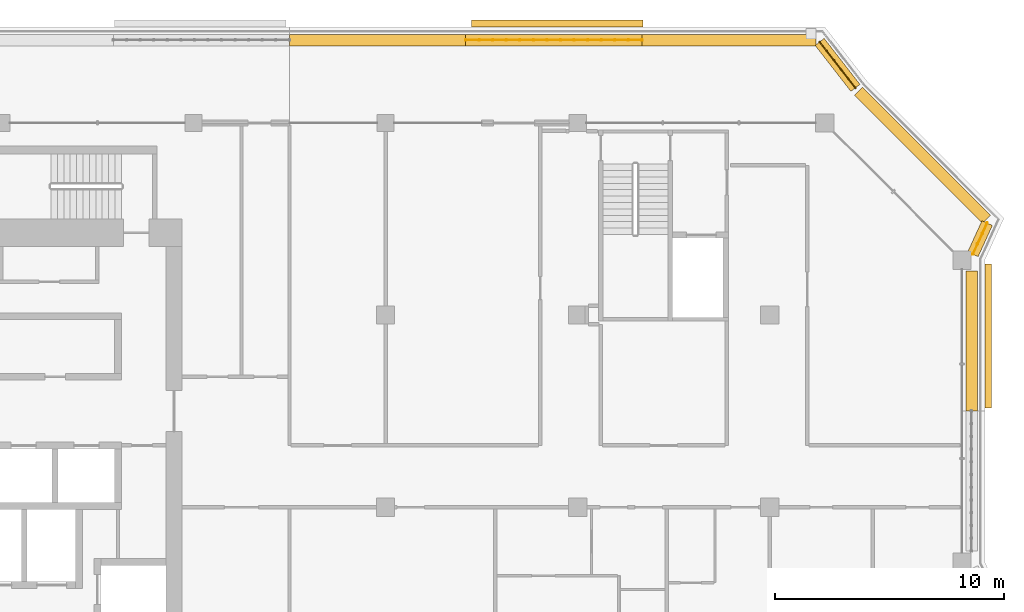
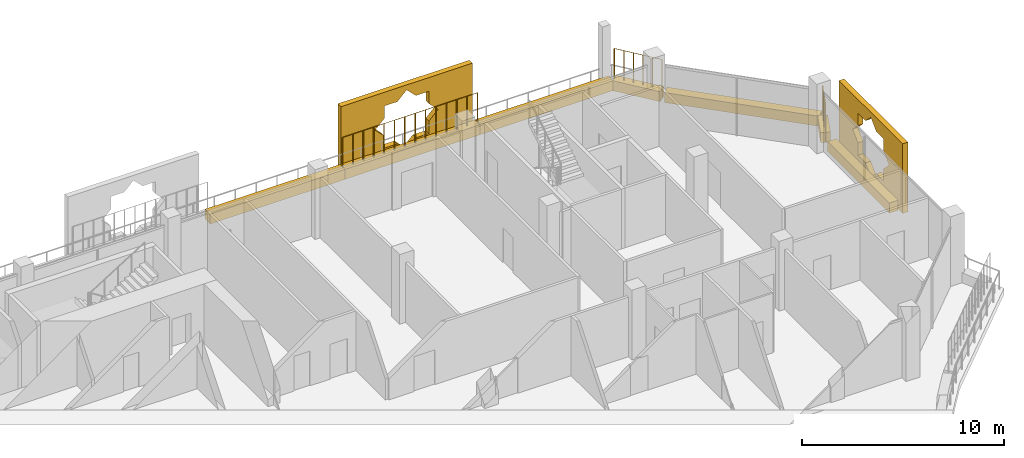
# One storey, part 22 of 22: 9 coverings, 3 railings.
"""IFC4 building model written with IfcOpenShell, lengths in metres."""

from ifc_helpers import new_model, si_unit, direction, frame, origin, origin_2d, place, context, subcontext, project, spatial, polyline, rectangle, circle, outline, extrude, material, material_profile, profile_set, type_object, element, save


model = new_model("IFC4")

# Units and contexts
model_context = context("Model", 3, precision=1e-05, world=origin(), true_north=direction((0.0, 1.0)))
body_context = subcontext(model_context, "Body", "Model", "MODEL_VIEW")
ifc_project = project(units=[si_unit("LENGTHUNIT", "METRE"), si_unit("AREAUNIT", "SQUARE_METRE"), si_unit("VOLUMEUNIT", "CUBIC_METRE"), si_unit("PLANEANGLEUNIT", "RADIAN"), si_unit("MASSUNIT", "GRAM", prefix="KILO")], contexts=[model_context])

# Site, building, storey
site_placement = place(None, origin())
site = spatial("IfcSite", under=ifc_project, at=site_placement, CompositionType="ELEMENT")
building_placement = place(site_placement, origin())
building = spatial("IfcBuilding", under=site, at=building_placement, Name="Kawkab Arch Medical Tower", CompositionType="ELEMENT")
storey_placement = place(building_placement, frame((0.0, 0.0, 294.39990234375)))
storey = spatial("IfcBuildingStorey", under=building, at=storey_placement, Name="L68", CompositionType="ELEMENT", Elevation=294.39990234375)

# Coverings
ifc_material_1 = material(Name="Bronze anodised aluminium mashrabiya panel, eight-point star pattern", Category="aluminium")
ifc_material_profile_1 = material_profile(ifc_material_1, outline(polyline([(-3.14990234375, -2.10009765625), (3.14990234375, -2.10009765625), (3.14990234375, 2.10009765625), (-3.14990234375, 2.10009765625), (-3.14990234375, -2.10009765625)]), holes=[polyline([(1.800048828125, 0.0), (1.272705078125, 0.527099609375), (1.272705078125, 1.272705078125), (0.527099609375, 1.272705078125), (0.0, 1.800048828125), (-0.527099609375, 1.272705078125), (-1.272705078125, 1.272705078125), (-1.272705078125, 0.527099609375), (-1.800048828125, 0.0), (-1.272705078125, -0.527099609375), (-1.272705078125, -1.272705078125), (-0.527099609375, -1.272705078125), (0.0, -1.800048828125), (0.527099609375, -1.272705078125), (1.272705078125, -1.272705078125), (1.272705078125, -0.527099609375), (1.800048828125, 0.0)])]), Name="Mashrabiya panel 6300x4200")
ifc_profile_set_1 = profile_set([ifc_material_profile_1], Name="Bronze anodised aluminium mashrabiya panel, eight-point star pattern")
covering_type_1 = type_object("IfcCoveringType", Name="Mashrabiya panel 6300 x 4200", PredefinedType="USERDEFINED", material=ifc_profile_set_1)
covering_1_placement = place(storey_placement, frame((59.800048828125, -9.31884765625, 1.7001953125), z_axis=(1.0, 0.0, 0.0), x_axis=(0.0, 1.0, 0.0)))
element("IfcCovering", 1, at=covering_1_placement, inside=storey, type_object=covering_type_1, Name="Mashrabiya panel L68.LOG-01-01.6", ObjectType="SCREEN", PredefinedType="USERDEFINED", context=body_context, shape_type="SweptSolid", body=[
    extrude(outline(polyline([(-3.14990234375, -2.10009765625), (3.14990234375, -2.10009765625), (3.14990234375, 2.10009765625), (-3.14990234375, 2.10009765625), (-3.14990234375, -2.10009765625)]), holes=[polyline([(1.800048828125, 0.0), (1.272705078125, 0.527099609375), (1.272705078125, 1.272705078125), (0.527099609375, 1.272705078125), (0.0, 1.800048828125), (-0.527099609375, 1.272705078125), (-1.272705078125, 1.272705078125), (-1.272705078125, 0.527099609375), (-1.800048828125, 0.0), (-1.272705078125, -0.527099609375), (-1.272705078125, -1.272705078125), (-0.527099609375, -1.272705078125), (0.0, -1.800048828125), (0.527099609375, -1.272705078125), (1.272705078125, -1.272705078125), (1.272705078125, -0.527099609375), (1.800048828125, 0.0)])]), origin(), (0.0, 0.0, 1.0), 0.300048828125),
])
ifc_material_2 = material(Name="Bronze anodised aluminium mashrabiya panel, eight-point star pattern", Category="aluminium")
ifc_material_profile_2 = material_profile(ifc_material_2, outline(polyline([(-3.75, -2.10009765625), (3.75, -2.10009765625), (3.75, 2.10009765625), (-3.75, 2.10009765625), (-3.75, -2.10009765625)]), holes=[polyline([(1.800048828125, 0.0), (1.272705078125, 0.527099609375), (1.272705078125, 1.272705078125), (0.527099609375, 1.272705078125), (0.0, 1.800048828125), (-0.527099609375, 1.272705078125), (-1.272705078125, 1.272705078125), (-1.272705078125, 0.527099609375), (-1.800048828125, 0.0), (-1.272705078125, -0.527099609375), (-1.272705078125, -1.272705078125), (-0.527099609375, -1.272705078125), (0.0, -1.800048828125), (0.527099609375, -1.272705078125), (1.272705078125, -1.272705078125), (1.272705078125, -0.527099609375), (1.800048828125, 0.0)])]), Name="Mashrabiya panel 7500x4200")
ifc_profile_set_2 = profile_set([ifc_material_profile_2], Name="Bronze anodised aluminium mashrabiya panel, eight-point star pattern")
covering_type_2 = type_object("IfcCoveringType", Name="Mashrabiya panel 7500 x 4200", PredefinedType="USERDEFINED", material=ifc_profile_set_2)
covering_2_placement = place(storey_placement, frame((41.09765625, 4.199951171875, 1.7001953125), z_axis=(0.0, 1.0, 0.0), x_axis=(-1.0, 0.0, 0.0)))
element("IfcCovering", 2, at=covering_2_placement, inside=storey, type_object=covering_type_2, Name="Mashrabiya panel L68.LOG-01-01.5", ObjectType="SCREEN", PredefinedType="USERDEFINED", context=body_context, shape_type="SweptSolid", body=[
    extrude(outline(polyline([(-3.75, -2.10009765625), (3.75, -2.10009765625), (3.75, 2.10009765625), (-3.75, 2.10009765625), (-3.75, -2.10009765625)]), holes=[polyline([(1.800048828125, 0.0), (1.272705078125, 0.527099609375), (1.272705078125, 1.272705078125), (0.527099609375, 1.272705078125), (0.0, 1.800048828125), (-0.527099609375, 1.272705078125), (-1.272705078125, 1.272705078125), (-1.272705078125, 0.527099609375), (-1.800048828125, 0.0), (-1.272705078125, -0.527099609375), (-1.272705078125, -1.272705078125), (-0.527099609375, -1.272705078125), (0.0, -1.800048828125), (0.527099609375, -1.272705078125), (1.272705078125, -1.272705078125), (1.272705078125, -0.527099609375), (1.800048828125, 0.0)])]), origin(), (0.0, 0.0, 1.0), 0.300048828125),
])
ifc_material_3 = material(Name="Planting soil in a precast trough", Category="concrete")
ifc_material_profile_3 = material_profile(ifc_material_3, rectangle(XDim=0.5, YDim=0.60009765625, at=origin_2d()), Name="Trough 500x600")
ifc_profile_set_3 = profile_set([ifc_material_profile_3], Name="Planting soil in a precast trough")
covering_type_3 = type_object("IfcCoveringType", Name="Planter trough 500 x 600", PredefinedType="USERDEFINED", material=ifc_profile_set_3)
covering_3_placement = place(storey_placement, frame((29.39990234375, 3.6201171875, 0.300048828125), z_axis=(1.0, 0.0, 0.0), x_axis=(0.0, 1.0, 0.0)))
element("IfcCovering", 3, at=covering_3_placement, inside=storey, type_object=covering_type_3, Name="Planter L68.LOG-01-01.16", ObjectType="PLANTER", PredefinedType="USERDEFINED", context=body_context, shape_type="SweptSolid", body=[
    extrude(rectangle(XDim=0.5, YDim=0.60009765625, at=origin_2d()), origin(), (0.0, 0.0, 1.0), 7.705078125),
])
covering_4_placement = place(storey_placement, frame((37.10498046875, 3.6201171875, 0.300048828125), z_axis=(1.0, 0.0, 0.0), x_axis=(0.0, 1.0, 0.0)))
element("IfcCovering", 4, at=covering_4_placement, inside=storey, type_object=covering_type_3, Name="Planter L68.LOG-01-01.17", ObjectType="PLANTER", PredefinedType="USERDEFINED", context=body_context, shape_type="SweptSolid", body=[
    extrude(rectangle(XDim=0.5, YDim=0.60009765625, at=origin_2d()), origin(), (0.0, 0.0, 1.0), 7.7060546875),
])
covering_5_placement = place(storey_placement, frame((44.81103515625, 3.6201171875, 0.300048828125), z_axis=(1.0, 0.0, 0.0), x_axis=(0.0, 1.0, 0.0)))
element("IfcCovering", 5, at=covering_5_placement, inside=storey, type_object=covering_type_3, Name="Planter L68.LOG-01-01.18", ObjectType="PLANTER", PredefinedType="USERDEFINED", context=body_context, shape_type="SweptSolid", body=[
    extrude(rectangle(XDim=0.5, YDim=0.60009765625, at=origin_2d()), origin(), (0.0, 0.0, 1.0), 7.60498046875),
])
covering_6_placement = place(storey_placement, frame((52.577880859375, 3.541015625, 0.300048828125), z_axis=(0.614099956103, -0.789228258436, 0.0), x_axis=(0.789228258436, 0.614099956103, 0.0)))
element("IfcCovering", 6, at=covering_6_placement, inside=storey, type_object=covering_type_3, Name="Planter L68.LOG-01-01.19", ObjectType="PLANTER", PredefinedType="USERDEFINED", context=body_context, shape_type="SweptSolid", body=[
    extrude(rectangle(XDim=0.5, YDim=0.60009765625, at=origin_2d()), origin(), (0.0, 0.0, 1.0), 2.545654296875),
])
covering_7_placement = place(storey_placement, frame((54.27294921875, 1.383056640625, 0.300048828125), z_axis=(0.707106781187, -0.707106781187, 0.0), x_axis=(0.707106781187, 0.707106781187, 0.0)))
element("IfcCovering", 7, at=covering_7_placement, inside=storey, type_object=covering_type_3, Name="Planter L68.LOG-01-01.20", ObjectType="PLANTER", PredefinedType="USERDEFINED", context=body_context, shape_type="SweptSolid", body=[
    extrude(rectangle(XDim=0.5, YDim=0.60009765625, at=origin_2d()), origin(), (0.0, 0.0, 1.0), 7.919677734375),
])
covering_8_placement = place(storey_placement, frame((59.902099609375, -4.37890625, 0.300048828125), z_axis=(-0.415189748133, -0.909734836667, 0.0), x_axis=(0.909734836667, -0.415189748133, 0.0)))
element("IfcCovering", 8, at=covering_8_placement, inside=storey, type_object=covering_type_3, Name="Planter L68.LOG-01-01.21", ObjectType="PLANTER", PredefinedType="USERDEFINED", context=body_context, shape_type="SweptSolid", body=[
    extrude(rectangle(XDim=0.5, YDim=0.60009765625, at=origin_2d()), origin(), (0.0, 0.0, 1.0), 1.498291015625),
])
covering_9_placement = place(storey_placement, frame((59.219970703125, -6.47998046875, 0.300048828125), z_axis=(0.0, -1.0, 0.0), x_axis=(1.0, 0.0, 0.0)))
element("IfcCovering", 9, at=covering_9_placement, inside=storey, type_object=covering_type_3, Name="Planter L68.LOG-01-01.22", ObjectType="PLANTER", PredefinedType="USERDEFINED", context=body_context, shape_type="SweptSolid", body=[
    extrude(rectangle(XDim=0.5, YDim=0.60009765625, at=origin_2d()), origin(), (0.0, 0.0, 1.0), 6.1201171875),
])

# Railings
ifc_material_4 = material(Name="Bronze anodised aluminium trellis for climbing plants", Category="aluminium")
railing_type = type_object("IfcRailingType", Name="Planting trellis 2400", PredefinedType="USERDEFINED", material=ifc_material_4)
railing_1_placement = place(storey_placement, frame((37.10498046875, 3.6201171875, 0.0)))
element("IfcRailing", 10, at=railing_1_placement, inside=storey, type_object=railing_type, Name="Planting trellis L68.LOG-01-01.17", ObjectType="TRELLIS", PredefinedType="USERDEFINED", context=body_context, shape_type="SweptSolid", body=[
    extrude(circle(Radius=0.01513671875, at=origin_2d()), frame((0.0, 0.0, 2.384765625), z_axis=(1.0, 0.0, 0.0), x_axis=(0.0, 1.0, 0.0)), (0.0, 0.0, 1.0), 7.7060546875),
    extrude(circle(Radius=0.030029296875, at=origin_2d()), origin(), (0.0, 0.0, 1.0), 2.369873046875),
    extrude(circle(Radius=0.030029296875, at=origin_2d()), frame((0.5927734375, 0.0, 0.0)), (0.0, 0.0, 1.0), 2.369873046875),
    extrude(circle(Radius=0.030029296875, at=origin_2d()), frame((1.185546875, 0.0, 0.0)), (0.0, 0.0, 1.0), 2.369873046875),
    extrude(circle(Radius=0.030029296875, at=origin_2d()), frame((1.7783203125, 0.0, 0.0)), (0.0, 0.0, 1.0), 2.369873046875),
    extrude(circle(Radius=0.030029296875, at=origin_2d()), frame((2.37109375, 0.0, 0.0)), (0.0, 0.0, 1.0), 2.369873046875),
    extrude(circle(Radius=0.030029296875, at=origin_2d()), frame((2.9638671875, 0.0, 0.0)), (0.0, 0.0, 1.0), 2.369873046875),
    extrude(circle(Radius=0.030029296875, at=origin_2d()), frame((3.556640625, 0.0, 0.0)), (0.0, 0.0, 1.0), 2.369873046875),
    extrude(circle(Radius=0.030029296875, at=origin_2d()), frame((4.1494140625, 0.0, 0.0)), (0.0, 0.0, 1.0), 2.369873046875),
    extrude(circle(Radius=0.030029296875, at=origin_2d()), frame((4.7421875, 0.0, 0.0)), (0.0, 0.0, 1.0), 2.369873046875),
    extrude(circle(Radius=0.030029296875, at=origin_2d()), frame((5.3349609375, 0.0, 0.0)), (0.0, 0.0, 1.0), 2.369873046875),
    extrude(circle(Radius=0.030029296875, at=origin_2d()), frame((5.927734375, 0.0, 0.0)), (0.0, 0.0, 1.0), 2.369873046875),
    extrude(circle(Radius=0.030029296875, at=origin_2d()), frame((6.5205078125, 0.0, 0.0)), (0.0, 0.0, 1.0), 2.369873046875),
    extrude(circle(Radius=0.030029296875, at=origin_2d()), frame((7.11328125, 0.0, 0.0)), (0.0, 0.0, 1.0), 2.369873046875),
    extrude(circle(Radius=0.030029296875, at=origin_2d()), frame((7.7060546875, 0.0, 0.0)), (0.0, 0.0, 1.0), 2.369873046875),
])
railing_2_placement = place(storey_placement, frame((52.577880859375, 3.541015625, 0.0)))
element("IfcRailing", 11, at=railing_2_placement, inside=storey, type_object=railing_type, Name="Planting trellis L68.LOG-01-01.19", ObjectType="TRELLIS", PredefinedType="USERDEFINED", context=body_context, shape_type="SweptSolid", body=[
    extrude(circle(Radius=0.01513671875, at=origin_2d()), frame((0.0, 0.0, 2.384765625), z_axis=(0.614099956103, -0.789228258436, 0.0), x_axis=(0.789228258436, 0.614099956103, 0.0)), (0.0, 0.0, 1.0), 2.545654296875),
    extrude(circle(Radius=0.030029296875, at=origin_2d()), origin(), (0.0, 0.0, 1.0), 2.369873046875),
    extrude(circle(Radius=0.030029296875, at=origin_2d()), frame((0.312744140625, -0.40185546875, 0.0)), (0.0, 0.0, 1.0), 2.369873046875),
    extrude(circle(Radius=0.030029296875, at=origin_2d()), frame((0.625244140625, -0.8037109375, 0.0)), (0.0, 0.0, 1.0), 2.369873046875),
    extrude(circle(Radius=0.030029296875, at=origin_2d()), frame((0.93798828125, -1.205322265625, 0.0)), (0.0, 0.0, 1.0), 2.369873046875),
    extrude(circle(Radius=0.030029296875, at=origin_2d()), frame((1.25048828125, -1.607177734375, 0.0)), (0.0, 0.0, 1.0), 2.369873046875),
    extrude(circle(Radius=0.030029296875, at=origin_2d()), frame((1.563232421875, -2.009033203125, 0.0)), (0.0, 0.0, 1.0), 2.369873046875),
])
railing_3_placement = place(storey_placement, frame((59.902099609375, -4.37890625, 0.0)))
element("IfcRailing", 12, at=railing_3_placement, inside=storey, type_object=railing_type, Name="Planting trellis L68.LOG-01-01.21", ObjectType="TRELLIS", PredefinedType="USERDEFINED", context=body_context, shape_type="SweptSolid", body=[
    extrude(circle(Radius=0.01513671875, at=origin_2d()), frame((0.0, 0.0, 2.384765625), z_axis=(-0.415189748133, -0.909734836667, 0.0), x_axis=(0.909734836667, -0.415189748133, 0.0)), (0.0, 0.0, 1.0), 1.498291015625),
    extrude(circle(Radius=0.030029296875, at=origin_2d()), origin(), (0.0, 0.0, 1.0), 2.369873046875),
    extrude(circle(Radius=0.030029296875, at=origin_2d()), frame((-0.207275390625, -0.454345703125, 0.0)), (0.0, 0.0, 1.0), 2.369873046875),
    extrude(circle(Radius=0.030029296875, at=origin_2d()), frame((-0.414794921875, -0.90869140625, 0.0)), (0.0, 0.0, 1.0), 2.369873046875),
    extrude(circle(Radius=0.030029296875, at=origin_2d()), frame((-0.6220703125, -1.363037109375, 0.0)), (0.0, 0.0, 1.0), 2.369873046875),
])

save(model, "model.ifc")
